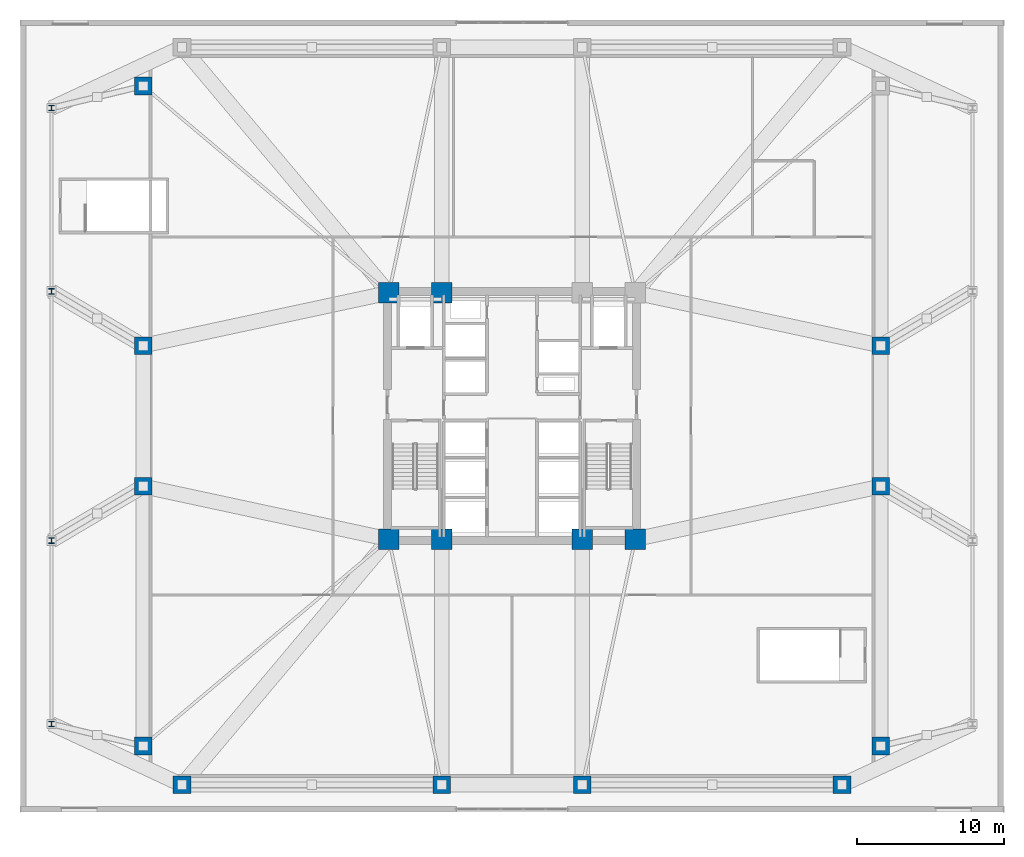
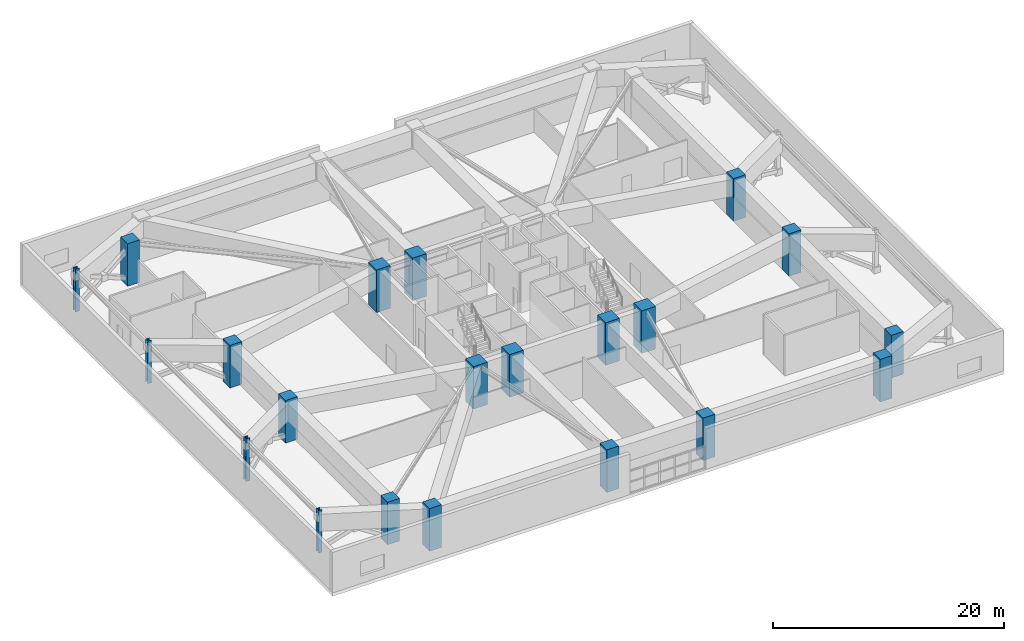
# One storey, part 1 of 19: 21 columns.
"""IFC4 building model written with IfcOpenShell, lengths in metres."""

from ifc_helpers import new_model, si_unit, direction, frame, origin, origin_2d, place, context, subcontext, project, spatial, rectangle, i_section, extrude, material, material_profile, profile_set, type_object, element, save


model = new_model("IFC4")

# Units and contexts
model_context = context("Model", 3, precision=1e-05, world=origin(), true_north=direction((0.0, 1.0)))
body_context = subcontext(model_context, "Body", "Model", "MODEL_VIEW")
ifc_project = project(units=[si_unit("LENGTHUNIT", "METRE"), si_unit("AREAUNIT", "SQUARE_METRE"), si_unit("VOLUMEUNIT", "CUBIC_METRE"), si_unit("PLANEANGLEUNIT", "RADIAN"), si_unit("MASSUNIT", "GRAM", prefix="KILO")], contexts=[model_context])

# Site, building, storey
site_placement = place(None, origin())
site = spatial("IfcSite", under=ifc_project, at=site_placement, CompositionType="ELEMENT")
building_placement = place(site_placement, origin())
building = spatial("IfcBuilding", under=site, at=building_placement, Name="Cairnveth Concourse Tower", CompositionType="ELEMENT")
storey_placement = place(building_placement, frame((0.0, 0.0, 19.0)))
storey = spatial("IfcBuildingStorey", under=building, at=storey_placement, Name="L04", CompositionType="ELEMENT", Elevation=19.0)

# Columns
ifc_material_1 = material(Name="Concrete N80 (80 MPa)", Category="concrete")
ifc_material_profile_1 = material_profile(ifc_material_1, rectangle(XDim=1.39990234375, YDim=1.39990234375, at=origin_2d()), Name="RC-COL-1400x1400")
ifc_profile_set_1 = profile_set([ifc_material_profile_1], Name="Concrete N80 (80 MPa)")
column_type_1 = type_object("IfcColumnType", Name="CORE COLUMN 1400X1400", PredefinedType="COLUMN", material=ifc_profile_set_1)
for number, where, z_axis, x_axis, name in (
    (1, (43.60009765625, 30.60009765625, 0.0), (0.0, 0.0, 1.0), (1.0, 0.0, 0.0), "Column CC1 L04"),
    (2, (47.199951171875, 30.60009765625, 0.0), (0.0, 0.0, 1.0), (1.0, 0.0, 0.0), "Column CC2 L04"),
    (3, (56.800048828125, 30.60009765625, 0.0), (0.0, 0.0, 1.0), (1.0, 0.0, 0.0), "Column CC3 L04"),
    (4, (60.39990234375, 30.60009765625, 0.0), (0.0, 0.0, 1.0), (1.0, 0.0, 0.0), "Column CC4 L04"),
    (5, (43.60009765625, 47.39990234375, 0.0), (0.0, 0.0, 1.0), (1.0, 0.0, 0.0), "Column CC5 L04"),
    (6, (47.199951171875, 47.39990234375, 0.0), (0.0, 0.0, 1.0), (1.0, 0.0, 0.0), "Column CC6 L04"),
):
    element("IfcColumn", number, at=place(storey_placement, frame(where, z_axis=z_axis, x_axis=x_axis)), inside=storey, type_object=column_type_1, Name=name, PredefinedType="COLUMN", context=body_context, shape_type="SweptSolid", body=[
        extrude(rectangle(XDim=1.39990234375, YDim=1.39990234375, at=origin_2d()), origin(), (0.0, 0.0, 1.0), 4.5),
    ])
ifc_material_profile_2 = material_profile(ifc_material_1, rectangle(XDim=1.199951171875, YDim=1.199951171875, at=origin_2d()), Name="RC-COL-1200x1200")
ifc_profile_set_2 = profile_set([ifc_material_profile_2], Name="Concrete N80 (80 MPa)")
column_type_2 = type_object("IfcColumnType", Name="PERIMETER PIER COLUMN 1200X1200", PredefinedType="COLUMN", material=ifc_profile_set_2)
for number, where, z_axis, x_axis, name in (
    (7, (29.5, 13.85009765625, 0.0), (0.0, 0.0, 1.0), (1.0, 0.0, 0.0), "Column Z1-S1 L04"),
    (8, (47.199951171875, 13.85009765625, 0.0), (0.0, 0.0, 1.0), (1.0, 0.0, 0.0), "Column Z1-S2 L04"),
    (9, (56.800048828125, 13.85009765625, 0.0), (0.0, 0.0, 1.0), (1.0, 0.0, 0.0), "Column Z1-S3 L04"),
    (10, (74.5, 13.85009765625, 0.0), (0.0, 0.0, 1.0), (1.0, 0.0, 0.0), "Column Z1-S4 L04"),
    (11, (77.14990234375, 16.5, 0.0), (0.0, 0.0, 1.0), (1.0, 0.0, 0.0), "Column Z1-E1 L04"),
    (12, (77.14990234375, 34.199951171875, 0.0), (0.0, 0.0, 1.0), (1.0, 0.0, 0.0), "Column Z1-E2 L04"),
    (13, (77.14990234375, 43.800048828125, 0.0), (0.0, 0.0, 1.0), (1.0, 0.0, 0.0), "Column Z1-E3 L04"),
    (14, (26.85009765625, 61.5, 0.0), (0.0, 0.0, 1.0), (1.0, 0.0, 0.0), "Column Z1-W1 L04"),
    (15, (26.85009765625, 43.800048828125, 0.0), (0.0, 0.0, 1.0), (1.0, 0.0, 0.0), "Column Z1-W2 L04"),
    (16, (26.85009765625, 34.199951171875, 0.0), (0.0, 0.0, 1.0), (1.0, 0.0, 0.0), "Column Z1-W3 L04"),
    (17, (26.85009765625, 16.5, 0.0), (0.0, 0.0, 1.0), (1.0, 0.0, 0.0), "Column Z1-W4 L04"),
):
    element("IfcColumn", number, at=place(storey_placement, frame(where, z_axis=z_axis, x_axis=x_axis)), inside=storey, type_object=column_type_2, Name=name, PredefinedType="COLUMN", context=body_context, shape_type="SweptSolid", body=[
        extrude(rectangle(XDim=1.199951171875, YDim=1.199951171875, at=origin_2d()), origin(), (0.0, 0.0, 1.0), 4.5),
    ])
ifc_material_2 = material(Name="Steel Grade 350", Category="steel")
ifc_material_profile_3 = material_profile(ifc_material_2, i_section(OverallWidth=0.39990234375, OverallDepth=0.39990234375, WebThickness=0.028076171875, FlangeThickness=0.044921875, at=origin_2d()), Name="400WC328")
ifc_profile_set_3 = profile_set([ifc_material_profile_3], Name="Steel Grade 350")
column_type_3 = type_object("IfcColumnType", Name="WELDED STEEL COLUMN 400WC328", PredefinedType="COLUMN", material=ifc_profile_set_3)
for number, where, z_axis, x_axis, name in (
    (18, (20.60009765625, 18.0, 0.0), (0.0, 0.0, 1.0), (1.0, 0.0, 0.0), "Column PC-W1 L04"),
    (19, (20.60009765625, 30.5, 0.0), (0.0, 0.0, 1.0), (1.0, 0.0, 0.0), "Column PC-W2 L04"),
    (20, (20.60009765625, 47.5, 0.0), (0.0, 0.0, 1.0), (1.0, 0.0, 0.0), "Column PC-W3 L04"),
    (21, (20.60009765625, 60.0, 0.0), (0.0, 0.0, 1.0), (1.0, 0.0, 0.0), "Column PC-W4 L04"),
):
    element("IfcColumn", number, at=place(storey_placement, frame(where, z_axis=z_axis, x_axis=x_axis)), inside=storey, type_object=column_type_3, Name=name, PredefinedType="COLUMN", context=body_context, shape_type="SweptSolid", body=[
        extrude(i_section(OverallWidth=0.39990234375, OverallDepth=0.39990234375, WebThickness=0.028076171875, FlangeThickness=0.044921875, at=origin_2d()), origin(), (0.0, 0.0, 1.0), 4.5),
    ])

save(model, "model.ifc")
